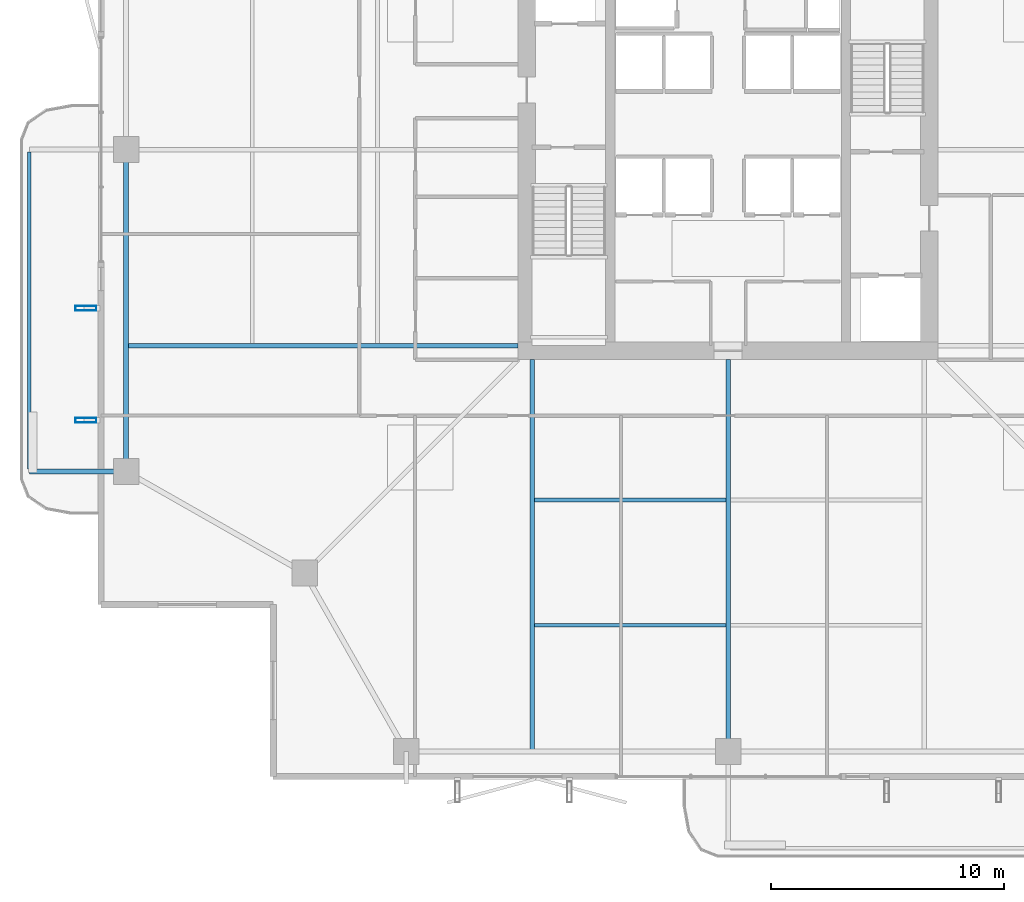
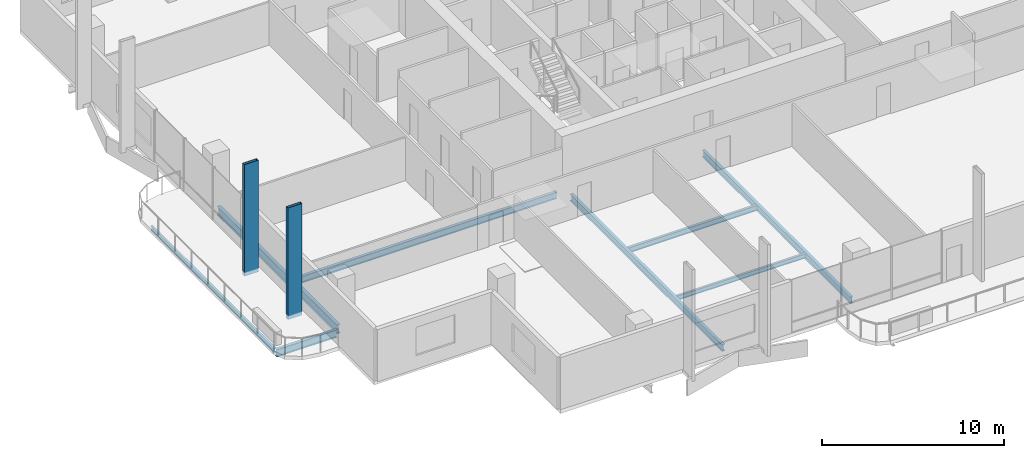
# One storey, part 3 of 24: 8 beams, 2 members.
"""IFC4 building model written with IfcOpenShell, lengths in metres."""

from ifc_helpers import new_model, si_unit, direction, frame, origin, origin_2d, place, context, subcontext, project, spatial, hollow_rectangle, i_section, extrude, material, material_profile, profile_set, type_object, element, save


model = new_model("IFC4")

# Units and contexts
model_context = context("Model", 3, precision=1e-05, world=origin(), true_north=direction((0.0, 1.0)))
body_context = subcontext(model_context, "Body", "Model", "MODEL_VIEW")
ifc_project = project(units=[si_unit("LENGTHUNIT", "METRE"), si_unit("AREAUNIT", "SQUARE_METRE"), si_unit("VOLUMEUNIT", "CUBIC_METRE"), si_unit("PLANEANGLEUNIT", "RADIAN"), si_unit("MASSUNIT", "GRAM", prefix="KILO")], contexts=[model_context])

# Site, building, storey
site_placement = place(None, origin())
site = spatial("IfcSite", under=ifc_project, at=site_placement, CompositionType="ELEMENT")
building_placement = place(site_placement, origin())
building = spatial("IfcBuilding", under=site, at=building_placement, Name="Belovzor Exchange Tower", CompositionType="ELEMENT")
storey_placement = place(building_placement, frame((0.0, 0.0, 203.699951171875)))
storey = spatial("IfcBuildingStorey", under=building, at=storey_placement, Name="L50", CompositionType="ELEMENT", Elevation=203.699951171875)

# Beams
ifc_material_1 = material(Name="Steel S355", Category="steel")
ifc_material_profile_1 = material_profile(ifc_material_1, i_section(OverallWidth=0.199951171875, OverallDepth=0.5, WebThickness=0.01025390625, FlangeThickness=0.01611328125, at=origin_2d()))
ifc_profile_set_1 = profile_set([ifc_material_profile_1], Name="Steel S355")
beam_type_1 = type_object("IfcBeamType", Name="Planted Balcony Cantilever Beam IPE 500", PredefinedType="BEAM", material=ifc_profile_set_1)
beam_1_placement = place(storey_placement, frame((2.697021484375, 15.0, -0.5), z_axis=(-1.0, 0.0, 0.0), x_axis=(0.0, -1.0, 0.0)))
element("IfcBeam", 1, at=beam_1_placement, inside=storey, type_object=beam_type_1, Name="BC-500 Planted Balcony Cantilever Beam IPE 500", PredefinedType="BEAM", context=body_context, shape_type="SweptSolid", body=[
    extrude(i_section(OverallWidth=0.199951171875, OverallDepth=0.5, WebThickness=0.01025390625, FlangeThickness=0.01611328125, at=origin_2d()), origin(), (0.0, 0.0, 1.0), 3.85009765625),
])
ifc_material_2 = material(Name="Steel S355", Category="steel")
ifc_material_profile_2 = material_profile(ifc_material_2, i_section(OverallWidth=0.14990234375, OverallDepth=0.300048828125, WebThickness=0.007080078125, FlangeThickness=0.0107421875, at=origin_2d()))
ifc_profile_set_2 = profile_set([ifc_material_profile_2], Name="Steel S355")
beam_type_2 = type_object("IfcBeamType", Name="Planted Balcony Fascia Edge Beam IPE 300", PredefinedType="BEAM", material=ifc_profile_set_2)
beam_2_placement = place(storey_placement, frame((-1.153076171875, 28.699951171875, -0.39990234375), z_axis=(0.0, -1.0, 0.0), x_axis=(1.0, 0.0, 0.0)))
element("IfcBeam", 2, at=beam_2_placement, inside=storey, type_object=beam_type_2, Name="BC-300 Planted Balcony Fascia Edge Beam IPE 300", PredefinedType="BEAM", context=body_context, shape_type="SweptSolid", body=[
    extrude(i_section(OverallWidth=0.14990234375, OverallDepth=0.300048828125, WebThickness=0.007080078125, FlangeThickness=0.0107421875, at=origin_2d()), origin(), (0.0, 0.0, 1.0), 13.599853515625),
])
ifc_material_3 = material(Name="Steel S355", Category="steel")
ifc_material_profile_3 = material_profile(ifc_material_3, i_section(OverallWidth=0.169921875, OverallDepth=0.360107421875, WebThickness=0.008056640625, FlangeThickness=0.0126953125, at=origin_2d()))
ifc_profile_set_3 = profile_set([ifc_material_profile_3], Name="Steel S355")
beam_type_3 = type_object("IfcBeamType", Name="Secondary Infill Floor Joist IPE 360", PredefinedType="BEAM", material=ifc_profile_set_3)
beam_3_placement = place(storey_placement, frame((20.4951171875, 13.77197265625, -0.429931640625), z_axis=(1.0, 0.0, 0.0), x_axis=(0.0, 1.0, 0.0)))
element("IfcBeam", 3, at=beam_3_placement, inside=storey, type_object=beam_type_3, Name="FJ-360 Secondary Infill Floor Joist IPE 360", PredefinedType="BEAM", context=body_context, shape_type="SweptSolid", body=[
    extrude(i_section(OverallWidth=0.169921875, OverallDepth=0.360107421875, WebThickness=0.008056640625, FlangeThickness=0.0126953125, at=origin_2d()), origin(), (0.0, 0.0, 1.0), 8.2099609375),
])
ifc_material_4 = material(Name="Steel S355", Category="steel")
ifc_material_profile_4 = material_profile(ifc_material_4, i_section(OverallWidth=0.14990234375, OverallDepth=0.300048828125, WebThickness=0.007080078125, FlangeThickness=0.0107421875, at=origin_2d()))
ifc_profile_set_4 = profile_set([ifc_material_profile_4], Name="Steel S355")
beam_type_4 = type_object("IfcBeamType", Name="Secondary Trim Floor Joist IPE 300", PredefinedType="BEAM", material=ifc_profile_set_4)
beam_4_placement = place(storey_placement, frame((20.4951171875, 8.4130859375, -0.39990234375), z_axis=(1.0, 0.0, 0.0), x_axis=(0.0, 1.0, 0.0)))
element("IfcBeam", 4, at=beam_4_placement, inside=storey, type_object=beam_type_4, Name="FJ-300 Secondary Trim Floor Joist IPE 300", PredefinedType="BEAM", context=body_context, shape_type="SweptSolid", body=[
    extrude(i_section(OverallWidth=0.14990234375, OverallDepth=0.300048828125, WebThickness=0.007080078125, FlangeThickness=0.0107421875, at=origin_2d()), origin(), (0.0, 0.0, 1.0), 8.2099609375),
])

# Members
ifc_material_5 = material(Name="Extruded Architectural Terracotta on Steel S355 Carrier", Category="masonry")
ifc_material_profile_5 = material_profile(ifc_material_5, hollow_rectangle(XDim=0.199951171875, YDim=0.89990234375, WallThickness=0.011962890625, at=origin_2d()))
ifc_profile_set_5 = profile_set([ifc_material_profile_5], Name="Extruded Architectural Terracotta on Steel S355 Carrier")
member_type = type_object("IfcMemberType", Name="Sweeping Terracotta Baguette Fin Assembly 950", PredefinedType="USERDEFINED", material=ifc_profile_set_5)
for number, where, z_axis, x_axis, name in (
    (5, (1.27490234375, 17.199951171875, -0.25), (0.0, 0.0, 1.0), (0.0, 1.0, 0.0), "FIN-TC095 Terracotta Facade Fin L50 W1"),
    (6, (1.27490234375, 22.0, -0.25), (0.0, 0.0, 1.0), (0.0, 1.0, 0.0), "FIN-TC095 Terracotta Facade Fin L50 W2"),
):
    element("IfcMember", number, at=place(storey_placement, frame(where, z_axis=z_axis, x_axis=x_axis)), inside=storey, type_object=member_type, Name=name, ObjectType="FIN", PredefinedType="USERDEFINED", context=body_context, shape_type="SweptSolid", body=[
        extrude(hollow_rectangle(XDim=0.199951171875, YDim=0.89990234375, WallThickness=0.011962890625, at=origin_2d()), origin(), (0.0, 0.0, 1.0), 7.5),
    ])

# Beams
ifc_material_6 = material(Name="Steel S355", Category="steel")
ifc_material_profile_6 = material_profile(ifc_material_6, i_section(OverallWidth=0.18994140625, OverallDepth=0.449951171875, WebThickness=0.009521484375, FlangeThickness=0.0146484375, at=origin_2d()))
ifc_profile_set_6 = profile_set([ifc_material_profile_6], Name="Steel S355")
beam_type_5 = type_object("IfcBeamType", Name="Zone 2-4 Radial Composite Floor Beam IPE 450", PredefinedType="BEAM", material=ifc_profile_set_6)
beam_5_placement = place(storey_placement, frame((20.39990234375, 19.800048828125, -0.474853515625), z_axis=(0.0, -1.0, 0.0), x_axis=(1.0, 0.0, 0.0)))
element("IfcBeam", 7, at=beam_5_placement, inside=storey, type_object=beam_type_5, Name="FB-450 Zone 2-4 Radial Composite Floor Beam IPE 450", PredefinedType="BEAM", context=body_context, shape_type="SweptSolid", body=[
    extrude(i_section(OverallWidth=0.18994140625, OverallDepth=0.449951171875, WebThickness=0.009521484375, FlangeThickness=0.0146484375, at=origin_2d()), origin(), (0.0, 0.0, 1.0), 16.7451171875),
])
beam_6_placement = place(storey_placement, frame((28.800048828125, 19.800048828125, -0.474853515625), z_axis=(0.0, -1.0, 0.0), x_axis=(1.0, 0.0, 0.0)))
element("IfcBeam", 8, at=beam_6_placement, inside=storey, type_object=beam_type_5, Name="FB-450 Zone 2-4 Radial Composite Floor Beam IPE 450", PredefinedType="BEAM", context=body_context, shape_type="SweptSolid", body=[
    extrude(i_section(OverallWidth=0.18994140625, OverallDepth=0.449951171875, WebThickness=0.009521484375, FlangeThickness=0.0146484375, at=origin_2d()), origin(), (0.0, 0.0, 1.0), 16.316162109375),
])
beam_7_placement = place(storey_placement, frame((19.800048828125, 20.39990234375, -0.474853515625), z_axis=(-1.0, 0.0, 0.0), x_axis=(0.0, -1.0, 0.0)))
element("IfcBeam", 9, at=beam_7_placement, inside=storey, type_object=beam_type_5, Name="FB-450 Zone 2-4 Radial Composite Floor Beam IPE 450", PredefinedType="BEAM", context=body_context, shape_type="SweptSolid", body=[
    extrude(i_section(OverallWidth=0.18994140625, OverallDepth=0.449951171875, WebThickness=0.009521484375, FlangeThickness=0.0146484375, at=origin_2d()), origin(), (0.0, 0.0, 1.0), 16.7451171875),
])
ifc_material_7 = material(Name="Steel S355", Category="steel")
ifc_material_profile_7 = material_profile(ifc_material_7, i_section(OverallWidth=0.219970703125, OverallDepth=0.60009765625, WebThickness=0.011962890625, FlangeThickness=0.01904296875, at=origin_2d()))
ifc_profile_set_7 = profile_set([ifc_material_profile_7], Name="Steel S355")
beam_type_6 = type_object("IfcBeamType", Name="Zone 4 Flare Primary Girder IPE 600", PredefinedType="BEAM", material=ifc_profile_set_7)
beam_8_placement = place(storey_placement, frame((3.0, 28.498046875, -0.550048828125), z_axis=(0.0, -1.0, 0.0), x_axis=(1.0, 0.0, 0.0)))
element("IfcBeam", 10, at=beam_8_placement, inside=storey, type_object=beam_type_6, Name="FG-Z4 Zone 4 Flare Primary Girder IPE 600", PredefinedType="BEAM", context=body_context, shape_type="SweptSolid", body=[
    extrude(i_section(OverallWidth=0.219970703125, OverallDepth=0.60009765625, WebThickness=0.011962890625, FlangeThickness=0.01904296875, at=origin_2d()), origin(), (0.0, 0.0, 1.0), 13.195068359375),
])

save(model, "model.ifc")
